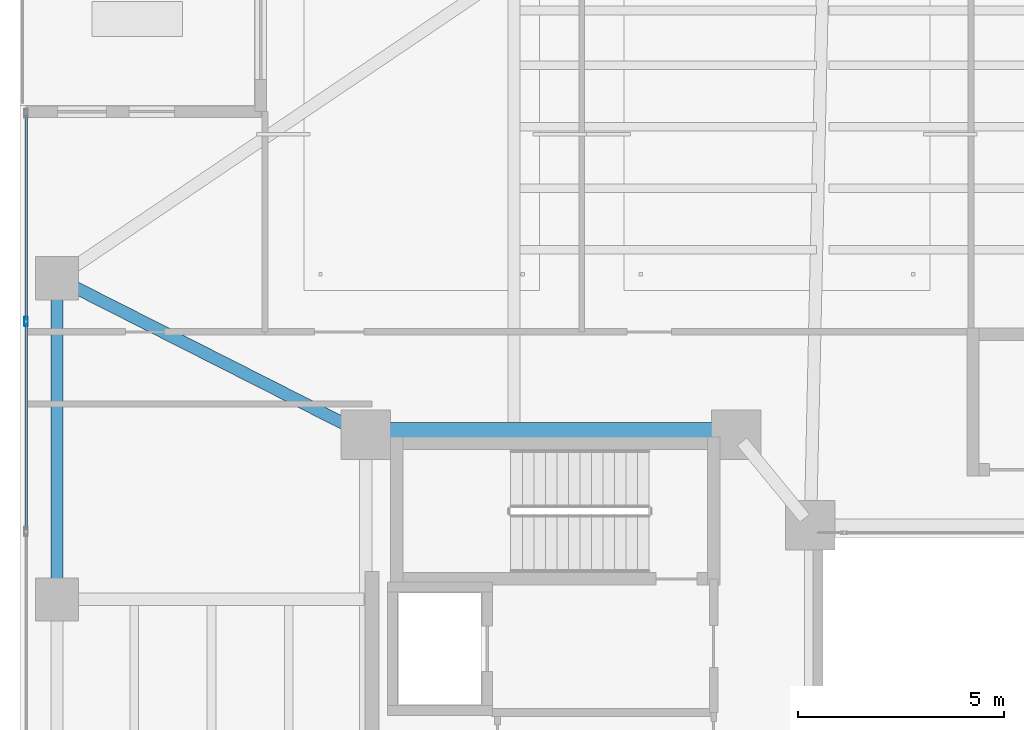
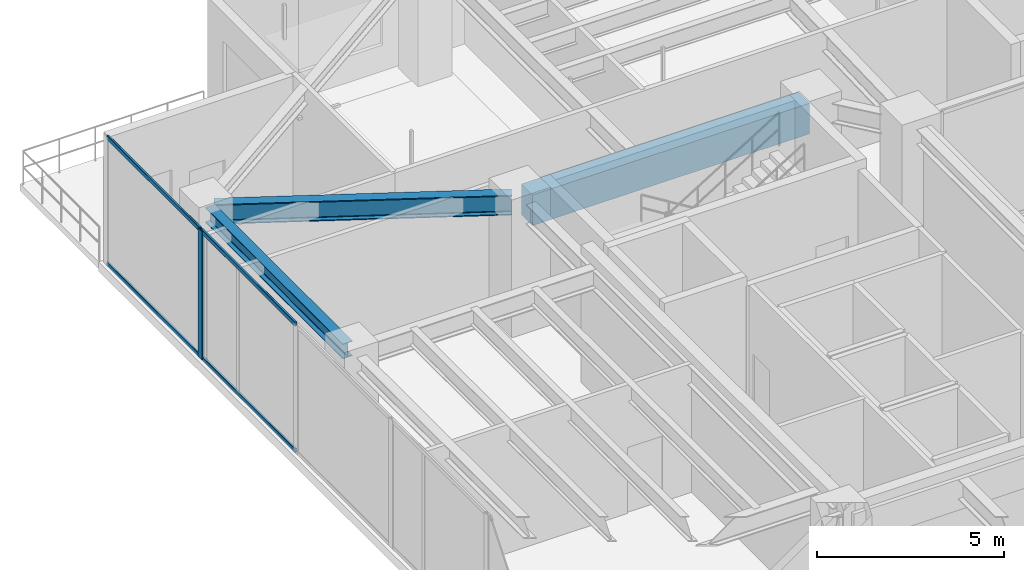
# One storey, part 19 of 37: 5 members, 3 beams, 1 element without a shape of its own.
"""IFC4 building model written with IfcOpenShell, lengths in metres."""

import ifcopenshell
import ifcopenshell.guid

model = None  # the IFC model being written
_history = None  # IfcOwnerHistory: only IFC2X3 demands one
_inside = {}  # id of a spatial element -> (the spatial element, [elements in it])
_under = {}  # id of a project, library or spatial element -> (it, [spatial elements below it])
_declared = {}  # id of a project -> (the project, [libraries it declares])
_typed = {}  # id of a type object -> (the type object, [elements of that type])
_made_of = {}  # id of a material, layer set ... -> (it, [elements and type objects made of it])


def new_model(schema):
    """Start an empty IFC model of exactly this schema.

    Asked for "IFC4X3", IfcOpenShell would pick the latest addendum, in which some entities
    have other attributes; the version numbers below select the first issue.
    IFC2X3 requires an IfcOwnerHistory on every rooted entity: one is made here for all.
    """
    global model, _history
    if schema == "IFC4X3":
        model = ifcopenshell.file(schema_version=(4, 3, 0, 0))
    else:
        model = ifcopenshell.file(schema=schema)
    _inside.clear()
    _under.clear()
    _declared.clear()
    _typed.clear()
    _made_of.clear()
    _history = None
    if model.schema == "IFC2X3":
        org = make("IfcOrganization", Name="unknown")
        user = make(
            "IfcPersonAndOrganization",
            ThePerson=make("IfcPerson", FamilyName="unknown"),
            TheOrganization=org,
        )
        app = make(
            "IfcApplication",
            ApplicationDeveloper=org,
            Version="unknown",
            ApplicationFullName="unknown",
            ApplicationIdentifier="unknown",
        )
        _history = make(
            "IfcOwnerHistory",
            OwningUser=user,
            OwningApplication=app,
            ChangeAction="ADDED",
            CreationDate=0,
        )
    return model


def make(cls, **values):
    """One entity of the class cls with the attributes given. An attribute that is None is left unset."""
    return model.create_entity(
        cls, **{name: value for name, value in values.items() if value is not None}
    )


def rooted(cls, **values):
    """An entity with a GlobalId (a new one), such as an element, a storey or a relation."""
    return make(cls, GlobalId=ifcopenshell.guid.new(), OwnerHistory=_history, **values)


def si_unit(unit_type, name, prefix=None):
    """IfcSIUnit, for example si_unit("LENGTHUNIT", "METRE", prefix="MILLI")."""
    return make("IfcSIUnit", UnitType=unit_type, Prefix=prefix, Name=name)


def assignment(units):
    """IfcUnitAssignment: the units of a project."""
    return None if units is None else make("IfcUnitAssignment", Units=units)


def point(xyz):
    """IfcCartesianPoint."""
    return None if xyz is None else make("IfcCartesianPoint", Coordinates=xyz)


def direction(xyz):
    """IfcDirection."""
    return None if xyz is None else make("IfcDirection", DirectionRatios=xyz)


def frame(location, z_axis=None, x_axis=None):
    """IfcAxis2Placement3D, a coordinate frame: its origin and axes. An axis left out is left unset."""
    return make(
        "IfcAxis2Placement3D",
        Location=point(location),
        Axis=direction(z_axis),
        RefDirection=direction(x_axis),
    )


def frame_2d(location, x_axis=None):
    """IfcAxis2Placement2D, a coordinate frame in the plane: its origin and x axis."""
    return make(
        "IfcAxis2Placement2D", Location=point(location), RefDirection=direction(x_axis)
    )


def origin():
    """The frame at (0, 0, 0) with its axes left unset."""
    return frame((0.0, 0.0, 0.0))


def origin_2d():
    """The frame at (0, 0) in the plane with its x axis left unset."""
    return frame_2d((0.0, 0.0))


def place(relative_to, where):
    """IfcLocalPlacement: puts the frame where relative to a parent placement (None: the world)."""
    return make(
        "IfcLocalPlacement", PlacementRelTo=relative_to, RelativePlacement=where
    )


def context(
    kind, dimensions, precision=None, world=None, true_north=None, identifier=None
):
    """IfcGeometricRepresentationContext, for example the 3D "Model" context."""
    return make(
        "IfcGeometricRepresentationContext",
        ContextIdentifier=identifier,
        ContextType=kind,
        CoordinateSpaceDimension=dimensions,
        Precision=precision,
        WorldCoordinateSystem=world,
        TrueNorth=true_north,
    )


def subcontext(parent, identifier, kind, view, scale=None):
    """IfcGeometricRepresentationSubContext, for example "Body" below "Model"."""
    return make(
        "IfcGeometricRepresentationSubContext",
        ContextIdentifier=identifier,
        ContextType=kind,
        ParentContext=parent,
        TargetScale=scale,
        TargetView=view,
    )


def project(units=None, contexts=None):
    """IfcProject with its units and contexts."""
    return rooted(
        "IfcProject",
        Name="project",
        RepresentationContexts=contexts,
        UnitsInContext=assignment(units),
    )


def spatial(cls, under=None, at=None, **own):
    """A site, building, storey or space (cls), placed at a placement, below another one or the project."""
    s = rooted(cls, ObjectPlacement=at, **own)
    if under is not None:
        _under.setdefault(under.id(), (under, []))[1].append(s)
    return s


def profile(cls, at=None, kind="AREA", **sizes):
    """A parametric profile (cls). Its sizes go by their IFC names, for example OverallWidth=200.0."""
    return make(cls, ProfileType=kind, Position=at, **sizes)


def rectangle(**sizes):
    """IfcRectangleProfileDef."""
    return profile("IfcRectangleProfileDef", **sizes)


def hollow_rectangle(**sizes):
    """IfcRectangleHollowProfileDef."""
    return profile("IfcRectangleHollowProfileDef", **sizes)


def i_section(**sizes):
    """IfcIShapeProfileDef."""
    return profile("IfcIShapeProfileDef", **sizes)


def extrude(swept, where, along, depth):
    """IfcExtrudedAreaSolid: the profile swept, set in the frame where, extruded along a direction by depth."""
    return make(
        "IfcExtrudedAreaSolid",
        SweptArea=swept,
        Position=where,
        ExtrudedDirection=direction(along),
        Depth=depth,
    )


def shape(context_of_items, identifier, shape_type, items):
    """IfcShapeRepresentation: the items that make up one representation, for example the "Body"."""
    return make(
        "IfcShapeRepresentation",
        ContextOfItems=context_of_items,
        RepresentationIdentifier=identifier,
        RepresentationType=shape_type,
        Items=items,
    )


def material(Name=None, Category=None):
    """IfcMaterial."""
    return make("IfcMaterial", Name=Name, Category=Category)


def layer(
    of_material, thickness, ventilated=None, Name=None, Category=None, Priority=None
):
    """IfcMaterialLayer: one layer of a wall or slab, of a material (None: an air gap)."""
    return make(
        "IfcMaterialLayer",
        Material=of_material,
        LayerThickness=thickness,
        IsVentilated=ventilated,
        Name=Name,
        Category=Category,
        Priority=Priority,
    )


def layer_set(layers, Name=None):
    """IfcMaterialLayerSet."""
    return make("IfcMaterialLayerSet", MaterialLayers=layers, LayerSetName=Name)


def material_profile(
    of_material, cross_section, Name=None, Category=None, Priority=None
):
    """IfcMaterialProfile: a cross section and its material."""
    return make(
        "IfcMaterialProfile",
        Name=Name,
        Material=of_material,
        Profile=cross_section,
        Priority=Priority,
        Category=Category,
    )


def profile_set(profiles, Name=None, composite=None):
    """IfcMaterialProfileSet."""
    return make(
        "IfcMaterialProfileSet",
        Name=Name,
        MaterialProfiles=profiles,
        CompositeProfile=composite,
    )


def made_of(thing, what):
    """Note that an element or type object is made of a material, layer set ...; save() writes the relation."""
    if what is not None:
        _made_of.setdefault(what.id(), (what, []))[1].append(thing)
    return thing


def type_object(cls, material=None, **own):
    """A type object (cls), such as IfcWallType, which elements share."""
    return made_of(rooted(cls, **own), material)


def element(
    cls,
    number,
    at=None,
    inside=None,
    cuts=None,
    type_object=None,
    material=None,
    context=None,
    identifier="Body",
    shape_type=None,
    held_by="IfcProductDefinitionShape",
    body=None,
    shapes=None,
    **own,
):
    """One element of the class cls, such as IfcWall. Its Tag is "e" and its number.

    at: its placement. inside: the storey or other place that contains it. cuts: it is an
    opening in that element (IfcRelVoidsElement). A single representation is given by context,
    identifier, shape_type and body (its items); several are given by shapes. held_by: the class
    of the entity that holds the representations. save() writes the other relations.
    """
    e = rooted(cls, Tag="e%d" % number, ObjectPlacement=at, **own)
    if body is not None:
        shapes = [shape(context, identifier, shape_type, body)]
    if shapes is not None:
        e.Representation = make(held_by, Representations=shapes)
    if inside is not None:
        _inside.setdefault(inside.id(), (inside, []))[1].append(e)
    if cuts is not None:
        rooted(
            "IfcRelVoidsElement", RelatingBuildingElement=cuts, RelatedOpeningElement=e
        )
    if type_object is not None:
        _typed.setdefault(type_object.id(), (type_object, []))[1].append(e)
    return made_of(e, material)


def aggregate(whole, parts):
    """IfcRelAggregates: a whole, such as a stair, and the parts it consists of."""
    return rooted("IfcRelAggregates", RelatingObject=whole, RelatedObjects=parts)


def save(model, path):
    """Write the relations noted so far, then the file.

    IfcRelAggregates (storeys below a building ...), IfcRelContainedInSpatialStructure (elements
    in a storey), IfcRelDefinesByType, IfcRelAssociatesMaterial and IfcRelDeclares: one each for
    every whole, place, type object, material and project.
    """
    for whole, parts in _under.values():
        aggregate(whole, parts)
    for where, things in _inside.values():
        rooted(
            "IfcRelContainedInSpatialStructure",
            RelatedElements=things,
            RelatingStructure=where,
        )
    for kind, things in _typed.values():
        rooted("IfcRelDefinesByType", RelatedObjects=things, RelatingType=kind)
    for what, things in _made_of.values():
        rooted("IfcRelAssociatesMaterial", RelatedObjects=things, RelatingMaterial=what)
    for by, libraries in _declared.values():
        rooted("IfcRelDeclares", RelatingContext=by, RelatedDefinitions=libraries)
    model.write(path)


model = new_model("IFC4")

# Units and contexts
model_context = context("Model", 3, precision=1e-05, world=origin(), true_north=direction((0.0, 1.0)))
body_context = subcontext(model_context, "Body", "Model", "MODEL_VIEW")
ifc_project = project(units=[si_unit("LENGTHUNIT", "METRE"), si_unit("AREAUNIT", "SQUARE_METRE"), si_unit("VOLUMEUNIT", "CUBIC_METRE"), si_unit("PLANEANGLEUNIT", "RADIAN"), si_unit("MASSUNIT", "GRAM", prefix="KILO")], contexts=[model_context])

# Site, building, storey
site_placement = place(None, origin())
site = spatial("IfcSite", under=ifc_project, at=site_placement, CompositionType="ELEMENT")
building_placement = place(site_placement, origin())
building = spatial("IfcBuilding", under=site, at=building_placement, Name="Tarnavaz Court Tower", CompositionType="ELEMENT")
storey_placement = place(building_placement, frame((0.0, 0.0, 118.5)))
storey = spatial("IfcBuildingStorey", under=building, at=storey_placement, Name="L32", CompositionType="ELEMENT", Elevation=118.5)

# Beams
ifc_material_1 = material(Name="Concrete C60/75", Category="concrete")
ifc_material_profile_1 = material_profile(ifc_material_1, rectangle(XDim=0.60009765625, YDim=1.0, at=origin_2d()), Name="RC 600X1000")
ifc_profile_set_1 = profile_set([ifc_material_profile_1], Name="Concrete C60/75")
beam_type_1 = type_object("IfcBeamType", Name="BM-CB1000", PredefinedType="LINTEL", material=ifc_profile_set_1)
beam_1_placement = place(storey_placement, frame((-18.3798828125, 10.0, 3.699951171875), z_axis=(1.0, 0.0, 0.0), x_axis=(0.0, 1.0, 0.0)))
element("IfcBeam", 1, at=beam_1_placement, inside=storey, type_object=beam_type_1, Name="L32 Beam IN-CW-NO-CW-NI", PredefinedType="LINTEL", context=body_context, shape_type="SweptSolid", body=[
    extrude(rectangle(XDim=0.60009765625, YDim=1.0, at=origin_2d()), origin(), (0.0, 0.0, 1.0), 8.559814453125),
])
ifc_material_2 = material(Name="Steel S355", Category="steel")
ifc_material_profile_2 = material_profile(ifc_material_2, i_section(OverallWidth=0.300048828125, OverallDepth=0.64990234375, WebThickness=0.01611328125, FlangeThickness=0.031005859375, FilletRadius=0.027099609375, at=origin_2d()), Name="HEB 650")
ifc_profile_set_2 = profile_set([ifc_material_profile_2], Name="Steel S355")
beam_type_2 = type_object("IfcBeamType", Name="BM-G-HEB650", PredefinedType="USERDEFINED", material=ifc_profile_set_2)
beam_2_placement = place(storey_placement, frame((-18.796142578125, 10.099365234375, 3.875), z_axis=(-0.892030669981, 0.451974870776, 0.0), x_axis=(-0.451974870776, -0.892030669981, 0.0)))
element("IfcBeam", 2, at=beam_2_placement, inside=storey, type_object=beam_type_2, Name="L32 Beam RG-16", ObjectType="GIRDER", PredefinedType="USERDEFINED", context=body_context, shape_type="SweptSolid", body=[
    extrude(i_section(OverallWidth=0.300048828125, OverallDepth=0.64990234375, WebThickness=0.01611328125, FlangeThickness=0.031005859375, FilletRadius=0.027099609375, at=origin_2d()), origin(), (0.0, 0.0, 1.0), 7.968017578125),
])
ifc_material_profile_3 = material_profile(ifc_material_2, i_section(OverallWidth=0.300048828125, OverallDepth=0.489990234375, WebThickness=0.011962890625, FlangeThickness=0.02294921875, FilletRadius=0.027099609375, at=origin_2d()), Name="HEA 500")
ifc_profile_set_3 = profile_set([ifc_material_profile_3], Name="Steel S355")
beam_type_3 = type_object("IfcBeamType", Name="BM-SP-HEA500", PredefinedType="SPANDREL", material=ifc_profile_set_3)
beam_3_placement = place(storey_placement, frame((-26.10009765625, 6.219970703125, 3.955078125), z_axis=(0.0, 1.0, 0.0), x_axis=(-1.0, 0.0, 0.0)))
element("IfcBeam", 3, at=beam_3_placement, inside=storey, type_object=beam_type_3, Name="L32 Beam PR-PW-3-PW-4", PredefinedType="SPANDREL", context=body_context, shape_type="SweptSolid", body=[
    extrude(i_section(OverallWidth=0.300048828125, OverallDepth=0.489990234375, WebThickness=0.011962890625, FlangeThickness=0.02294921875, FilletRadius=0.027099609375, at=origin_2d()), origin(), (0.0, 0.0, 1.0), 7.360107421875),
])

# Curtain wall, members
ifc_material_3 = material(Name="Anodised Aluminium 6063-T6 and Solar Low-E Glazing", Category="aluminium")
ifc_layer = layer(ifc_material_3, 0.199951171875)
ifc_layer_set = layer_set([ifc_layer], Name="Anodised Aluminium 6063-T6 and Solar Low-E Glazing")
curtain_wall_type = type_object("IfcCurtainWallType", Name="CW-SYS-05", PredefinedType="NOTDEFINED", material=ifc_layer_set)
curtain_wall_placement = place(storey_placement, origin())
curtain_wall = element("IfcCurtainWall", 4, at=curtain_wall_placement, inside=storey, type_object=curtain_wall_type, Name="L32 Sky-Portal Curtain Wall 2", PredefinedType="NOTDEFINED")
ifc_material_4 = material(Name="Anodised Aluminium 6063-T6", Category="aluminium")
ifc_material_profile_4 = material_profile(ifc_material_4, hollow_rectangle(XDim=0.0849609375, YDim=0.219970703125, WallThickness=0.006103515625, InnerFilletRadius=0.006103515625, OuterFilletRadius=0.011962890625, at=origin_2d()), Name="ALU RHS 220X85X6")
ifc_profile_set_4 = profile_set([ifc_material_profile_4], Name="Anodised Aluminium 6063-T6")
member_type_1 = type_object("IfcMemberType", Name="CW-MUL-220", PredefinedType="MULLION", material=ifc_profile_set_4)
member_1_placement = place(storey_placement, frame((-26.85009765625, 12.75, 0.0), z_axis=(0.0, 0.0, 1.0), x_axis=(-1.0, 0.0, 0.0)))
member_1 = element("IfcMember", 5, at=member_1_placement, type_object=member_type_1, Name="CW mullion 7", PredefinedType="MULLION", context=body_context, shape_type="SweptSolid", body=[
    extrude(hollow_rectangle(XDim=0.0849609375, YDim=0.219970703125, WallThickness=0.006103515625, InnerFilletRadius=0.006103515625, OuterFilletRadius=0.011962890625, at=origin_2d()), origin(), (0.0, 0.0, 1.0), 4.199951171875),
])
ifc_material_profile_5 = material_profile(ifc_material_4, hollow_rectangle(XDim=0.06494140625, YDim=0.139892578125, WallThickness=0.00390625, InnerFilletRadius=0.00390625, OuterFilletRadius=0.008056640625, at=origin_2d()), Name="ALU RHS 140X65X4")
ifc_profile_set_5 = profile_set([ifc_material_profile_5], Name="Anodised Aluminium 6063-T6")
member_type_2 = type_object("IfcMemberType", Name="CW-TRN-140", PredefinedType="USERDEFINED", material=ifc_profile_set_5)
member_2_placement = place(storey_placement, frame((-26.85009765625, 7.6923828125, 0.032470703125), z_axis=(0.0, 1.0, 0.0), x_axis=(-1.0, 0.0, 0.0)))
member_2 = element("IfcMember", 6, at=member_2_placement, type_object=member_type_2, Name="CW transom 6.1", ObjectType="TRANSOM", PredefinedType="USERDEFINED", context=body_context, shape_type="SweptSolid", body=[
    extrude(hollow_rectangle(XDim=0.06494140625, YDim=0.139892578125, WallThickness=0.00390625, InnerFilletRadius=0.00390625, OuterFilletRadius=0.008056640625, at=origin_2d()), origin(), (0.0, 0.0, 1.0), 5.01513671875),
])
member_3_placement = place(storey_placement, frame((-26.85009765625, 7.6923828125, 4.16748046875), z_axis=(0.0, 1.0, 0.0), x_axis=(-1.0, 0.0, 0.0)))
member_3 = element("IfcMember", 7, at=member_3_placement, type_object=member_type_2, Name="CW transom 6.2", ObjectType="TRANSOM", PredefinedType="USERDEFINED", context=body_context, shape_type="SweptSolid", body=[
    extrude(hollow_rectangle(XDim=0.06494140625, YDim=0.139892578125, WallThickness=0.00390625, InnerFilletRadius=0.00390625, OuterFilletRadius=0.008056640625, at=origin_2d()), origin(), (0.0, 0.0, 1.0), 5.01513671875),
])
member_4_placement = place(storey_placement, frame((-26.85009765625, 12.79248046875, 0.032470703125), z_axis=(0.0, 1.0, 0.0), x_axis=(-1.0, 0.0, 0.0)))
member_4 = element("IfcMember", 8, at=member_4_placement, type_object=member_type_2, Name="CW transom 7.1", ObjectType="TRANSOM", PredefinedType="USERDEFINED", context=body_context, shape_type="SweptSolid", body=[
    extrude(hollow_rectangle(XDim=0.06494140625, YDim=0.139892578125, WallThickness=0.00390625, InnerFilletRadius=0.00390625, OuterFilletRadius=0.008056640625, at=origin_2d()), origin(), (0.0, 0.0, 1.0), 4.972412109375),
])
member_5_placement = place(storey_placement, frame((-26.85009765625, 12.79248046875, 4.16748046875), z_axis=(0.0, 1.0, 0.0), x_axis=(-1.0, 0.0, 0.0)))
member_5 = element("IfcMember", 9, at=member_5_placement, type_object=member_type_2, Name="CW transom 7.2", ObjectType="TRANSOM", PredefinedType="USERDEFINED", context=body_context, shape_type="SweptSolid", body=[
    extrude(hollow_rectangle(XDim=0.06494140625, YDim=0.139892578125, WallThickness=0.00390625, InnerFilletRadius=0.00390625, OuterFilletRadius=0.008056640625, at=origin_2d()), origin(), (0.0, 0.0, 1.0), 4.972412109375),
])
aggregate(curtain_wall, [member_1, member_2, member_3, member_4, member_5])

save(model, "model.ifc")
